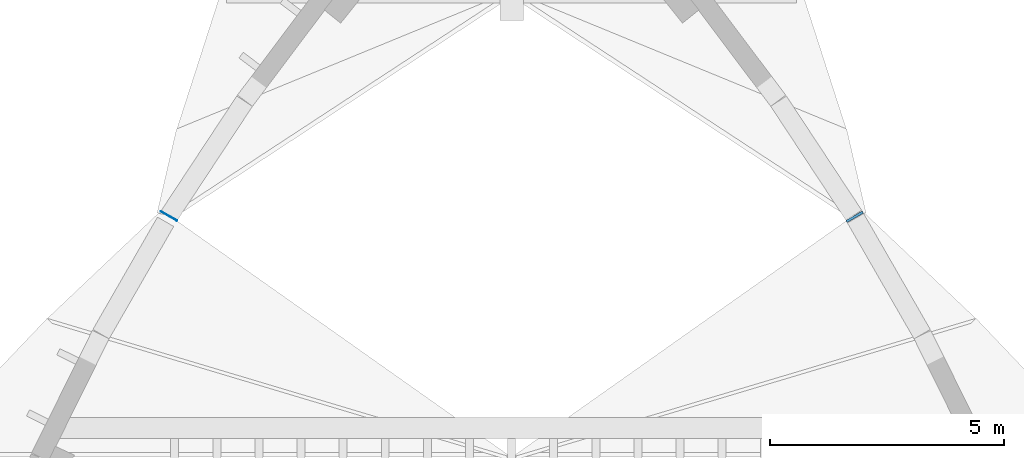
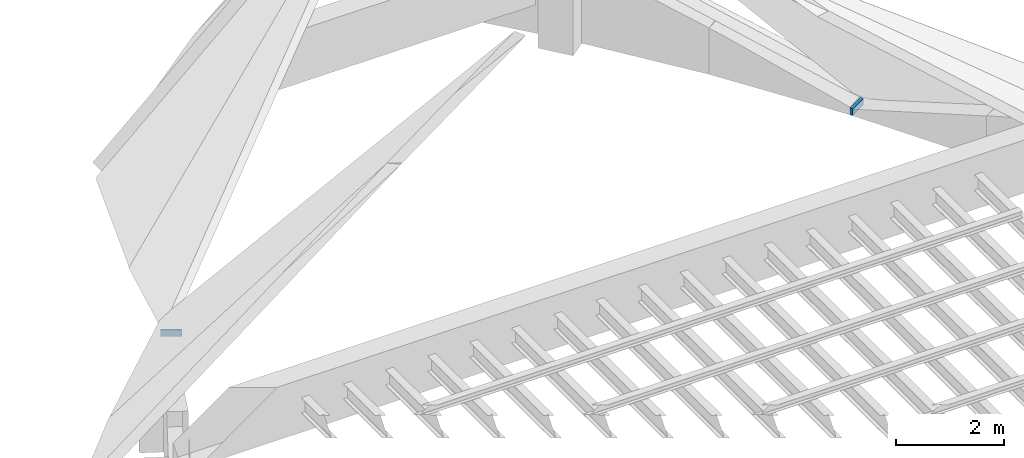
# One storey, part 49 of 56: 2 walls.
"""IFC4 building model written with IfcOpenShell, lengths in metres."""

from ifc_helpers import new_model, si_unit, direction, frame, origin, place, context, subcontext, project, spatial, polyline, outline, extrude, material, layer, layer_set, type_object, element, save


model = new_model("IFC4")

# Units and contexts
model_context = context("Model", 3, precision=1e-05, world=origin(), true_north=direction((0.0, 1.0)))
body_context = subcontext(model_context, "Body", "Model", "MODEL_VIEW")
ifc_project = project(units=[si_unit("LENGTHUNIT", "METRE"), si_unit("AREAUNIT", "SQUARE_METRE"), si_unit("VOLUMEUNIT", "CUBIC_METRE"), si_unit("PLANEANGLEUNIT", "RADIAN"), si_unit("MASSUNIT", "GRAM", prefix="KILO")], contexts=[model_context])

# Site, building, storey
site_placement = place(None, origin())
site = spatial("IfcSite", under=ifc_project, at=site_placement, CompositionType="ELEMENT")
building_placement = place(site_placement, origin())
building = spatial("IfcBuilding", under=site, at=building_placement, Name="Tide Square Theatres", CompositionType="ELEMENT")
storey_placement = place(building_placement, frame((0.0, 0.0, 10.199951171875)))
storey = spatial("IfcBuildingStorey", under=building, at=storey_placement, Name="L02", CompositionType="ELEMENT", Elevation=10.199951171875)

# Walls
ifc_material = material(Name="Concrete C40", Category="concrete")
ifc_layer = layer(ifc_material, 0.39990234375)
ifc_layer_set = layer_set([ifc_layer], Name="Concrete C40")
wall_type = type_object("IfcWallType", Name="RC curved wall 400 thick", PredefinedType="SOLIDWALL", material=ifc_layer_set)
wall_1_placement = place(storey_placement, frame((139.345947265625, 70.03271484375, 0.0), z_axis=(0.0, 0.0, 1.0), x_axis=(-0.497613152085, 0.867399072441, 0.0)))
element("IfcWall", 1, at=wall_1_placement, inside=storey, type_object=wall_type, Name="Black Box Theatre perimeter wall", PredefinedType="SOLIDWALL", context=body_context, shape_type="SweptSolid", body=[
    extrude(outline(polyline([(0.0, 0.0), (0.053466796875, 0.0), (0.053466796875, 0.16357421875), (0.0, 0.150146484375), (0.0, 0.0)])), frame((0.0, 0.199951171875, 0.0), z_axis=(0.0, -1.0, 0.0), x_axis=(1.0, 0.0, 0.0)), (0.0, 0.0, 1.0), 0.39990234375),
])
wall_2_placement = place(storey_placement, frame((124.6806640625, 70.0791015625, 0.0), z_axis=(0.0, 0.0, 1.0), x_axis=(-0.493012571981, -0.870022185849, 0.0)))
element("IfcWall", 2, at=wall_2_placement, inside=storey, type_object=wall_type, Name="Black Box Theatre perimeter wall", PredefinedType="SOLIDWALL", context=body_context, shape_type="SweptSolid", body=[
    extrude(outline(polyline([(0.0, 0.0), (0.016845703125, 0.0), (0.016845703125, 0.150146484375), (0.0, 0.1611328125), (0.0, 0.0)])), frame((0.0, 0.199951171875, 0.0), z_axis=(0.0, -1.0, 0.0), x_axis=(1.0, 0.0, 0.0)), (0.0, 0.0, 1.0), 0.39990234375),
])

save(model, "model.ifc")
